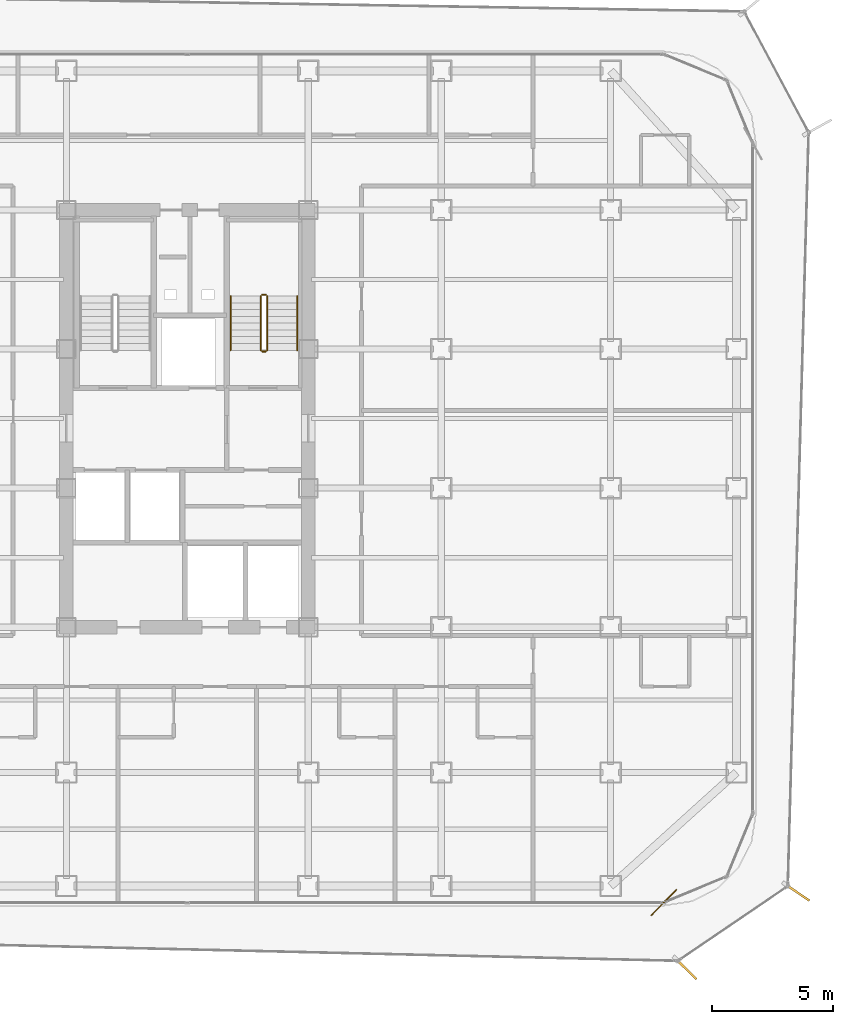
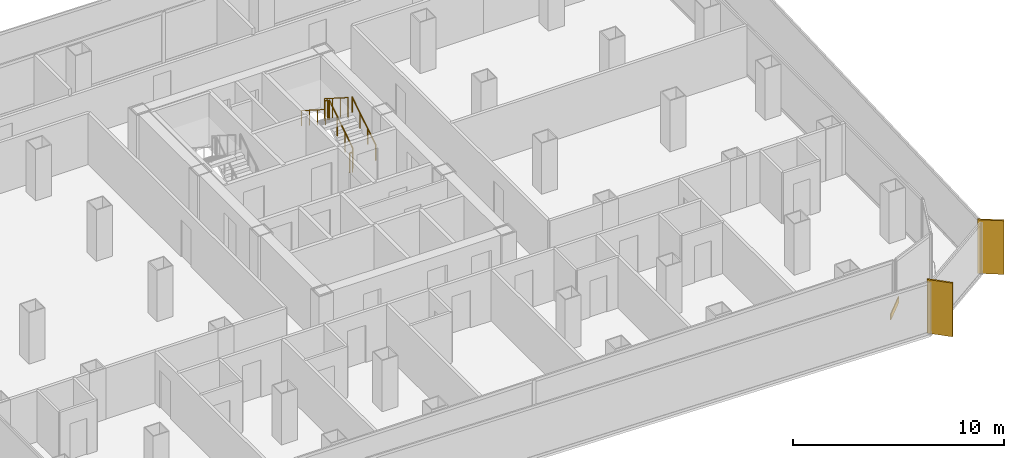
# One storey, part 20 of 21: 6 railings, 2 shading devices, 1 covering.
"""IFC4 building model written with IfcOpenShell, lengths in metres."""

from ifc_helpers import new_model, si_unit, direction, frame, origin, origin_2d, place, context, subcontext, project, spatial, rectangle, circle, extrude, source, transform, mapped, material, layer, layer_set, type_object, element, save


model = new_model("IFC4")

# Units and contexts
model_context = context("Model", 3, precision=1e-05, world=origin(), true_north=direction((0.0, 1.0)))
body_context = subcontext(model_context, "Body", "Model", "MODEL_VIEW")
ifc_project = project(units=[si_unit("LENGTHUNIT", "METRE"), si_unit("AREAUNIT", "SQUARE_METRE"), si_unit("VOLUMEUNIT", "CUBIC_METRE"), si_unit("PLANEANGLEUNIT", "RADIAN"), si_unit("MASSUNIT", "GRAM", prefix="KILO")], contexts=[model_context])

# Site, building, storey
site_placement = place(None, origin())
site = spatial("IfcSite", under=ifc_project, at=site_placement, CompositionType="ELEMENT")
building_placement = place(site_placement, origin())
building = spatial("IfcBuilding", under=site, at=building_placement, Name="Kolveth Station Tower", CompositionType="ELEMENT")
storey_placement = place(building_placement, frame((0.0, 0.0, 102.300048828125)))
storey = spatial("IfcBuildingStorey", under=building, at=storey_placement, Name="L27", CompositionType="ELEMENT", Elevation=102.300048828125)

# Railings
ifc_material_1 = material(Name="Painted Steel S355 balustrade", Category="steel")
railing_type_1 = type_object("IfcRailingType", Name="Guard_GR2", PredefinedType="BALUSTRADE", material=ifc_material_1)
railing_1_placement = place(storey_placement, frame((26.800048828125, 22.949951171875, 0.177734375)))
element("IfcRailing", 1, at=railing_1_placement, inside=storey, type_object=railing_type_1, Name="L27 ST2 stair guard 1", PredefinedType="BALUSTRADE", context=body_context, shape_type="SweptSolid", body=[
    extrude(circle(Radius=0.02392578125, at=origin_2d()), frame((0.0, 0.0, 1.1259765625), z_axis=(0.0, 0.8442293374, 0.53598211339), x_axis=(-1.0, 0.0, 0.0)), (0.0, 0.0, 1.0), 2.6533203125),
    extrude(circle(Radius=0.02099609375, at=origin_2d()), origin(), (0.0, 0.0, 1.0), 1.101806640625),
    extrude(circle(Radius=0.02099609375, at=origin_2d()), frame((0.0, 0.74658203125, 0.47412109375)), (0.0, 0.0, 1.0), 1.101806640625),
    extrude(circle(Radius=0.02099609375, at=origin_2d()), frame((0.0, 1.493408203125, 0.947998046875)), (0.0, 0.0, 1.0), 1.101806640625),
    extrude(circle(Radius=0.02099609375, at=origin_2d()), frame((0.0, 2.239990234375, 1.422119140625)), (0.0, 0.0, 1.0), 1.101806640625),
])
railing_2_placement = place(storey_placement, frame((26.75, 25.239990234375, 1.599853515625)))
element("IfcRailing", 2, at=railing_2_placement, inside=storey, type_object=railing_type_1, Name="L27 ST2 stair guard 2", PredefinedType="BALUSTRADE", context=body_context, shape_type="SweptSolid", body=[
    extrude(circle(Radius=0.02392578125, at=origin_2d()), frame((0.0, 0.0, 1.1259765625), z_axis=(-1.0, 0.0, 0.0), x_axis=(0.0, -1.0, 0.0)), (0.0, 0.0, 1.0), 0.159912109375),
    extrude(circle(Radius=0.02099609375, at=origin_2d()), origin(), (0.0, 0.0, 1.0), 1.101806640625),
    extrude(circle(Radius=0.02099609375, at=origin_2d()), frame((-0.159912109375, 0.0, 0.0)), (0.0, 0.0, 1.0), 1.101806640625),
])
railing_3_placement = place(storey_placement, frame((26.5400390625, 25.18994140625, 1.77783203125)))
element("IfcRailing", 3, at=railing_3_placement, inside=storey, type_object=railing_type_1, Name="L27 ST2 stair guard 3", PredefinedType="BALUSTRADE", context=body_context, shape_type="SweptSolid", body=[
    extrude(circle(Radius=0.02392578125, at=origin_2d()), frame((0.0, 0.0, 1.1259765625), z_axis=(0.0, -0.8442293374, 0.53598211339), x_axis=(1.0, 0.0, 0.0)), (0.0, 0.0, 1.0), 2.6533203125),
    extrude(circle(Radius=0.02099609375, at=origin_2d()), origin(), (0.0, 0.0, 1.0), 1.101806640625),
    extrude(circle(Radius=0.02099609375, at=origin_2d()), frame((0.0, -0.74658203125, 0.47412109375)), (0.0, 0.0, 1.0), 1.101806640625),
    extrude(circle(Radius=0.02099609375, at=origin_2d()), frame((0.0, -1.493408203125, 0.947998046875)), (0.0, 0.0, 1.0), 1.101806640625),
    extrude(circle(Radius=0.02099609375, at=origin_2d()), frame((0.0, -2.239990234375, 1.422119140625)), (0.0, 0.0, 1.0), 1.101806640625),
])
railing_4_placement = place(storey_placement, frame((26.75, 22.89990234375, 0.0)))
element("IfcRailing", 4, at=railing_4_placement, inside=storey, type_object=railing_type_1, Name="L27 ST2 stair guard 4", PredefinedType="BALUSTRADE", context=body_context, shape_type="SweptSolid", body=[
    extrude(circle(Radius=0.02392578125, at=origin_2d()), frame((0.0, 0.0, 1.1259765625), z_axis=(-1.0, 0.0, 0.0), x_axis=(0.0, -1.0, 0.0)), (0.0, 0.0, 1.0), 0.159912109375),
    extrude(circle(Radius=0.02099609375, at=origin_2d()), origin(), (0.0, 0.0, 1.0), 1.101806640625),
    extrude(circle(Radius=0.02099609375, at=origin_2d()), frame((-0.159912109375, 0.0, 0.0)), (0.0, 0.0, 1.0), 1.101806640625),
])
ifc_material_2 = material(Name="Brushed stainless steel", Category="steel")
railing_type_2 = type_object("IfcRailingType", Name="Handrail_HR1", PredefinedType="HANDRAIL", material=ifc_material_2)
railing_5_placement = place(storey_placement, frame((28.050048828125, 22.949951171875, 0.177734375)))
element("IfcRailing", 5, at=railing_5_placement, inside=storey, type_object=railing_type_2, Name="L27 ST2 stair handrail 1", PredefinedType="HANDRAIL", context=body_context, shape_type="SweptSolid", body=[
    extrude(circle(Radius=0.02392578125, at=origin_2d()), frame((0.0, 0.0, 0.8759765625), z_axis=(0.0, 0.8442293374, 0.53598211339), x_axis=(-1.0, 0.0, 0.0)), (0.0, 0.0, 1.0), 2.6533203125),
    extrude(circle(Radius=0.02099609375, at=origin_2d()), origin(), (0.0, 0.0, 1.0), 0.851806640625),
    extrude(circle(Radius=0.02099609375, at=origin_2d()), frame((0.0, 0.74658203125, 0.47412109375)), (0.0, 0.0, 1.0), 0.851806640625),
    extrude(circle(Radius=0.02099609375, at=origin_2d()), frame((0.0, 1.493408203125, 0.947998046875)), (0.0, 0.0, 1.0), 0.851806640625),
    extrude(circle(Radius=0.02099609375, at=origin_2d()), frame((0.0, 2.239990234375, 1.422119140625)), (0.0, 0.0, 1.0), 0.851806640625),
])
railing_6_placement = place(storey_placement, frame((25.2900390625, 25.18994140625, 1.77783203125)))
element("IfcRailing", 6, at=railing_6_placement, inside=storey, type_object=railing_type_2, Name="L27 ST2 stair handrail 2", PredefinedType="HANDRAIL", context=body_context, shape_type="SweptSolid", body=[
    extrude(circle(Radius=0.02392578125, at=origin_2d()), frame((0.0, 0.0, 0.8759765625), z_axis=(0.0, -0.8442293374, 0.53598211339), x_axis=(1.0, 0.0, 0.0)), (0.0, 0.0, 1.0), 2.6533203125),
    extrude(circle(Radius=0.02099609375, at=origin_2d()), origin(), (0.0, 0.0, 1.0), 0.851806640625),
    extrude(circle(Radius=0.02099609375, at=origin_2d()), frame((0.0, -0.74658203125, 0.47412109375)), (0.0, 0.0, 1.0), 0.851806640625),
    extrude(circle(Radius=0.02099609375, at=origin_2d()), frame((0.0, -1.493408203125, 0.947998046875)), (0.0, 0.0, 1.0), 0.851806640625),
    extrude(circle(Radius=0.02099609375, at=origin_2d()), frame((0.0, -2.239990234375, 1.422119140625)), (0.0, 0.0, 1.0), 0.851806640625),
])

# Shading devices
ifc_material_3 = material(Name="Black anodized aluminium 6063-T6", Category="aluminium")
shading_device_type = type_object("IfcShadingDeviceType", Name="FIN_VF1", PredefinedType="USERDEFINED", material=ifc_material_3)
shared_shape_1 = source(origin(), body_context, "Body", "SweptSolid", [
    extrude(rectangle(XDim=1.25, YDim=0.090087890625, at=origin_2d()), origin(), (0.0, 0.0, 1.0), 3.10009765625),
])
for number, where, z_axis, x_axis, name in (
    (7, (44.10205078125, -2.611083984375, 0.0), (0.0, 0.0, 1.0), (0.713005742217, -0.701158192968, 0.0), "L27 Dark-Aluminium Solar Fin 1"),
    (8, (48.699951171875, 0.549072265625, 0.0), (0.0, 0.0, 1.0), (0.827472780913, -0.561505829755, 0.0), "L27 Dark-Aluminium Solar Fin 2"),
):
    element("IfcShadingDevice", number, at=place(storey_placement, frame(where, z_axis=z_axis, x_axis=x_axis)), inside=storey, type_object=shading_device_type, Name=name, ObjectType="FIN", PredefinedType="USERDEFINED", context=body_context, shape_type="MappedRepresentation", body=[
        mapped(shared_shape_1, transform((0.0, 0.0, 0.0), x_axis=(1.0, 0.0, 0.0), y_axis=(0.0, 1.0, 0.0), z_axis=(0.0, 0.0, 1.0), scale=1.0)),
    ])

# Covering
ifc_material_4 = material(Name="Charcoal anodized aluminium spandrel cladding", Category="aluminium")
ifc_layer = layer(ifc_material_4, 0.044921875)
ifc_layer_set = layer_set([ifc_layer], Name="Charcoal anodized aluminium spandrel cladding")
covering_type = type_object("IfcCoveringType", Name="Clad_CD1", PredefinedType="CLADDING", material=ifc_layer_set)
shared_shape_2 = source(origin(), body_context, "Body", "SweptSolid", [
    extrude(rectangle(XDim=1.5, YDim=0.044921875, at=origin_2d()), origin(), (0.0, 0.0, 1.0), 0.360107421875),
])
covering_placement = place(storey_placement, frame((43.199951171875, 0.1201171875, 0.0), z_axis=(0.0, 0.0, 1.0), x_axis=(0.701158192968, 0.713005742217, 0.0)))
element("IfcCovering", 9, at=covering_placement, inside=storey, type_object=covering_type, Name="L27 Spandrel Edge Cladding 1", PredefinedType="CLADDING", context=body_context, shape_type="MappedRepresentation", body=[
    mapped(shared_shape_2, transform((0.0, 0.0, 0.0), x_axis=(1.0, 0.0, 0.0), y_axis=(0.0, 1.0, 0.0), z_axis=(0.0, 0.0, 1.0), scale=1.0)),
])

save(model, "model.ifc")
